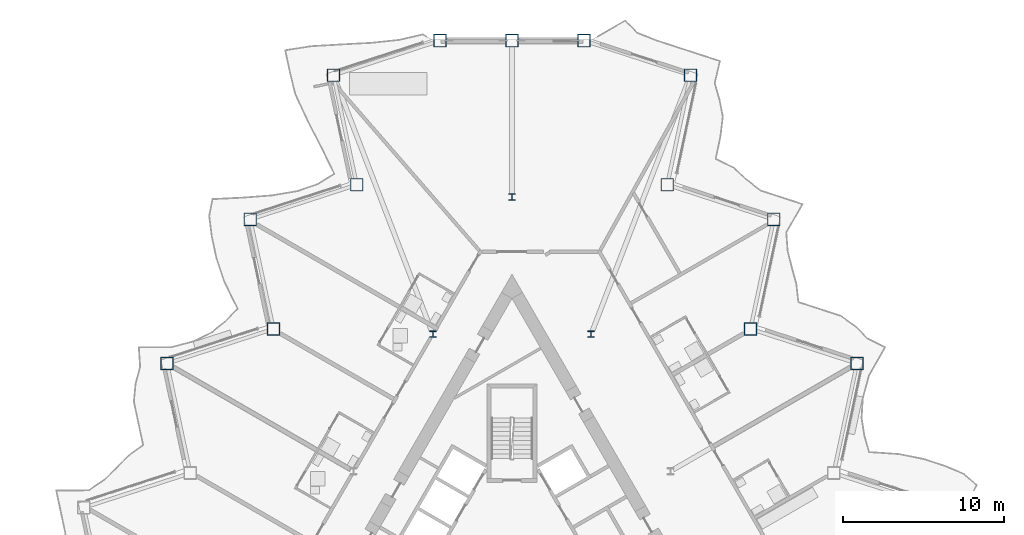
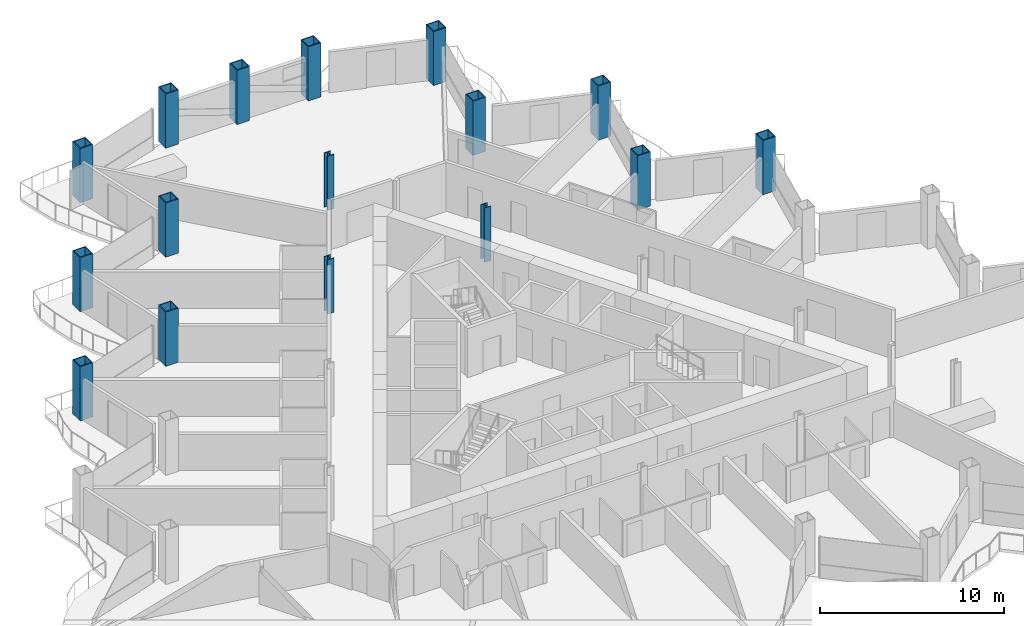
# One storey, part 2 of 23: 16 columns.
"""IFC4 building model written with IfcOpenShell, lengths in metres."""

from ifc_helpers import new_model, si_unit, direction, frame, origin, origin_2d, place, context, subcontext, project, spatial, hollow_rectangle, i_section, extrude, material, material_profile, profile_set, type_object, element, save


model = new_model("IFC4")

# Units and contexts
model_context = context("Model", 3, precision=1e-05, world=origin(), true_north=direction((0.0, 1.0)))
body_context = subcontext(model_context, "Body", "Model", "MODEL_VIEW")
ifc_project = project(units=[si_unit("LENGTHUNIT", "METRE"), si_unit("AREAUNIT", "SQUARE_METRE"), si_unit("VOLUMEUNIT", "CUBIC_METRE"), si_unit("PLANEANGLEUNIT", "RADIAN"), si_unit("MASSUNIT", "GRAM", prefix="KILO")], contexts=[model_context])

# Site, building, storey
site_placement = place(None, origin())
site = spatial("IfcSite", under=ifc_project, at=site_placement, CompositionType="ELEMENT")
building_placement = place(site_placement, origin())
building = spatial("IfcBuilding", under=site, at=building_placement, Name="Cormorant Prow Tower", CompositionType="ELEMENT")
storey_placement = place(building_placement, frame((0.0, 0.0, 180.0)))
storey = spatial("IfcBuildingStorey", under=building, at=storey_placement, Name="L38", CompositionType="ELEMENT", Elevation=180.0)

# Columns
ifc_material_1 = material(Name="Structural steel ASTM A572 Gr 50", Category="steel")
ifc_material_profile_1 = material_profile(ifc_material_1, hollow_rectangle(XDim=0.800048828125, YDim=0.800048828125, WallThickness=0.050048828125, at=origin_2d()), Name="Box 800x800x50")
ifc_profile_set_1 = profile_set([ifc_material_profile_1], Name="Structural steel ASTM A572 Gr 50")
column_type_1 = type_object("IfcColumnType", Name="Perimeter box column 800x800x50", PredefinedType="COLUMN", material=ifc_profile_set_1)
for number, where, z_axis, x_axis, name in (
    (1, (21.409423828125, 12.36083984375, 0.0), (0.0, 0.0, 1.0), (1.0, 0.0, 0.0), "Perimeter column C4 at ENE05 L38"),
    (2, (14.7998046875, 14.50830078125, 0.0), (0.0, 0.0, 1.0), (1.0, 0.0, 0.0), "Perimeter column C4 at ENE06 L38"),
    (3, (16.244873046875, 21.306396484375, 0.0), (0.0, 0.0, 1.0), (1.0, 0.0, 0.0), "Perimeter column C4 at ENE07 L38"),
    (4, (9.63525390625, 23.453857421875, 0.0), (0.0, 0.0, 1.0), (1.0, 0.0, 0.0), "Perimeter column C4 at ENE08 L38"),
    (5, (11.080078125, 30.251953125, 0.0), (0.0, 0.0, 1.0), (1.0, 0.0, 0.0), "Perimeter column C4 at ENE09 L38"),
    (6, (4.470458984375, 32.3994140625, 0.0), (0.0, 0.0, 1.0), (1.0, 0.0, 0.0), "Perimeter column C4 at N00 L38"),
    (7, (0.0, 32.3994140625, 0.0), (0.0, 0.0, 1.0), (1.0, 0.0, 0.0), "Perimeter column C4 at N01 L38"),
    (8, (-4.470458984375, 32.3994140625, 0.0), (0.0, 0.0, 1.0), (1.0, 0.0, 0.0), "Perimeter column C4 at WNW00 L38"),
    (9, (-11.080078125, 30.251953125, 0.0), (0.0, 0.0, 1.0), (1.0, 0.0, 0.0), "Perimeter column C4 at WNW01 L38"),
    (10, (-9.63525390625, 23.453857421875, 0.0), (0.0, 0.0, 1.0), (1.0, 0.0, 0.0), "Perimeter column C4 at WNW02 L38"),
    (11, (-16.244873046875, 21.306396484375, 0.0), (0.0, 0.0, 1.0), (1.0, 0.0, 0.0), "Perimeter column C4 at WNW03 L38"),
    (12, (-14.7998046875, 14.50830078125, 0.0), (0.0, 0.0, 1.0), (1.0, 0.0, 0.0), "Perimeter column C4 at WNW04 L38"),
    (13, (-21.409423828125, 12.36083984375, 0.0), (0.0, 0.0, 1.0), (1.0, 0.0, 0.0), "Perimeter column C4 at WNW05 L38"),
):
    element("IfcColumn", number, at=place(storey_placement, frame(where, z_axis=z_axis, x_axis=x_axis)), inside=storey, type_object=column_type_1, Name=name, PredefinedType="COLUMN", context=body_context, shape_type="SweptSolid", body=[
        extrude(hollow_rectangle(XDim=0.800048828125, YDim=0.800048828125, WallThickness=0.050048828125, at=origin_2d()), origin(), (0.0, 0.0, 1.0), 3.60009765625),
    ])
ifc_material_2 = material(Name="Structural steel ASTM A992 Gr 50", Category="steel")
ifc_material_profile_2 = material_profile(ifc_material_2, i_section(OverallWidth=0.403564453125, OverallDepth=0.407470703125, WebThickness=0.027099609375, FlangeThickness=0.043701171875, at=origin_2d()), Name="W14x233")
ifc_profile_set_2 = profile_set([ifc_material_profile_2], Name="Structural steel ASTM A992 Gr 50")
column_type_2 = type_object("IfcColumnType", Name="Ring column W14x233", PredefinedType="COLUMN", material=ifc_profile_set_2)
for number, where, z_axis, x_axis, name in (
    (14, (0.0, 22.69775390625, 0.0), (0.0, 0.0, 1.0), (1.0, 0.0, 0.0), "Ring column 1 L38"),
    (15, (-4.914306640625, 14.186279296875, 0.0), (0.0, 0.0, 1.0), (1.0, 0.0, 0.0), "Ring column 2 L38"),
    (16, (4.914306640625, 14.186279296875, 0.0), (0.0, 0.0, 1.0), (1.0, 0.0, 0.0), "Ring column 12 L38"),
):
    element("IfcColumn", number, at=place(storey_placement, frame(where, z_axis=z_axis, x_axis=x_axis)), inside=storey, type_object=column_type_2, Name=name, PredefinedType="COLUMN", context=body_context, shape_type="SweptSolid", body=[
        extrude(i_section(OverallWidth=0.403564453125, OverallDepth=0.407470703125, WebThickness=0.027099609375, FlangeThickness=0.043701171875, at=origin_2d()), origin(), (0.0, 0.0, 1.0), 3.60009765625),
    ])

save(model, "model.ifc")
